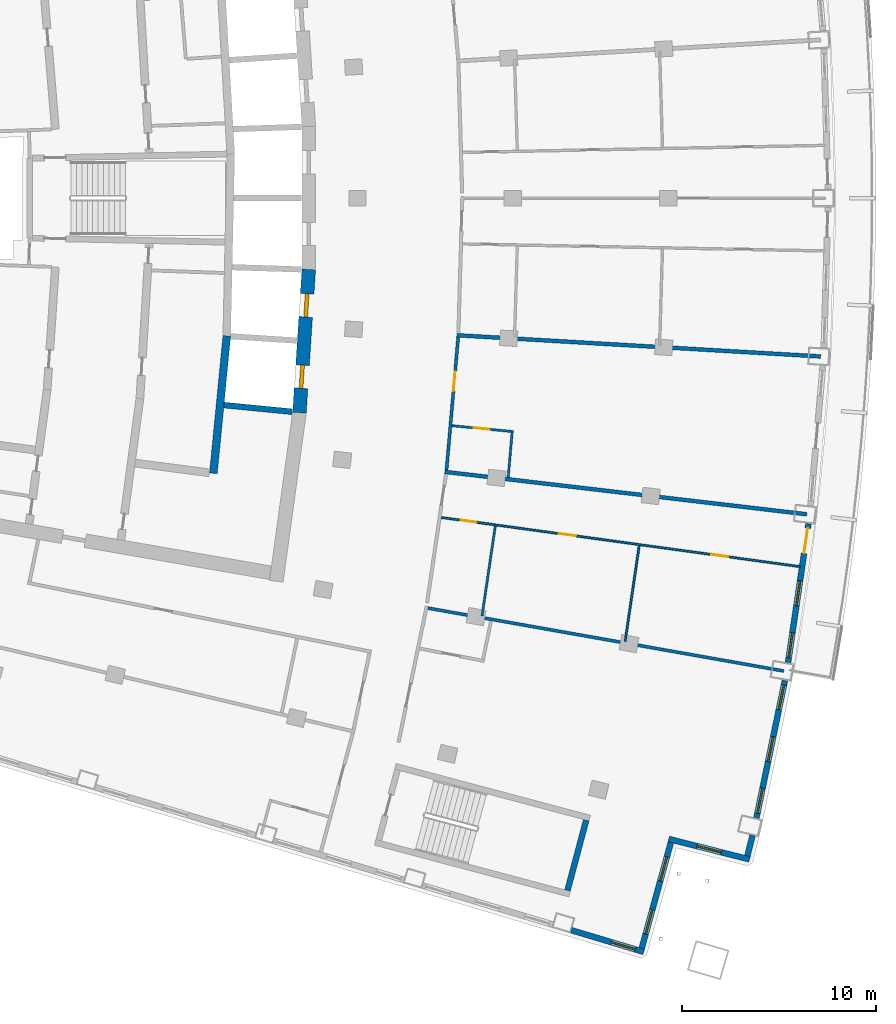
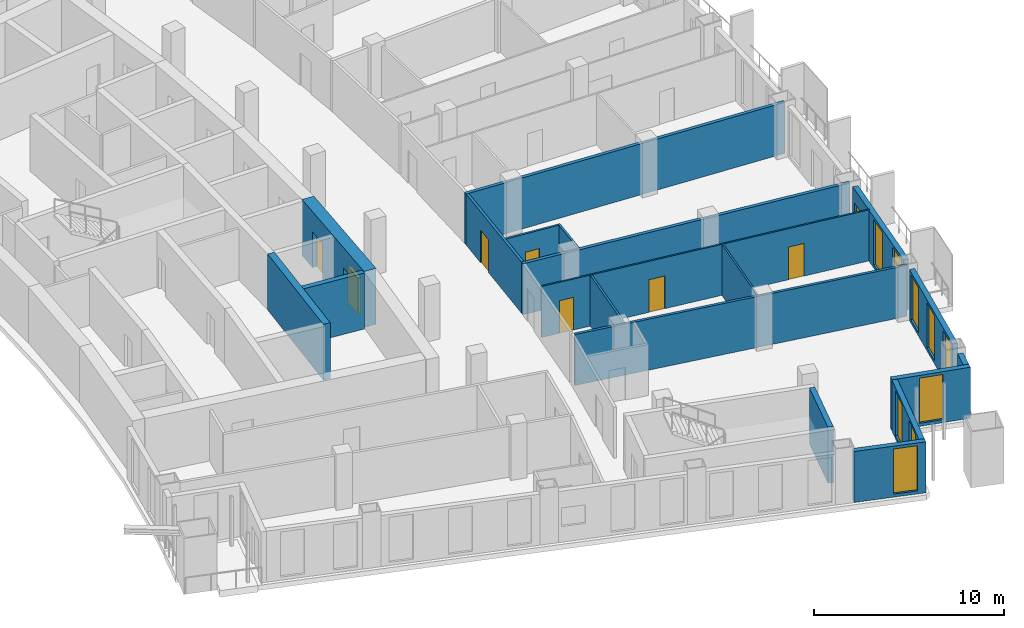
# One storey, part 11 of 20: 19 walls, 9 windows, 8 doors, 17 openings.
"""IFC4 building model written with IfcOpenShell, lengths in metres."""

from ifc_helpers import new_model, si_unit, direction, frame, frame_2d, origin, place, context, subcontext, project, spatial, rectangle, extrude, material, layer, layer_set, type_object, element, fill, save


model = new_model("IFC4")

# Units and contexts
model_context = context("Model", 3, precision=1e-05, world=origin(), true_north=direction((0.0, 1.0)))
body_context = subcontext(model_context, "Body", "Model", "MODEL_VIEW")
ifc_project = project(units=[si_unit("LENGTHUNIT", "METRE"), si_unit("AREAUNIT", "SQUARE_METRE"), si_unit("VOLUMEUNIT", "CUBIC_METRE"), si_unit("PLANEANGLEUNIT", "RADIAN"), si_unit("MASSUNIT", "GRAM", prefix="KILO")], contexts=[model_context])

# Site, building, storey
site_placement = place(None, origin())
site = spatial("IfcSite", under=ifc_project, at=site_placement, CompositionType="ELEMENT")
building_placement = place(site_placement, origin())
building = spatial("IfcBuilding", under=site, at=building_placement, Name="Alderwake Tower", CompositionType="ELEMENT")
storey_placement = place(building_placement, frame((0.0, 0.0, 153.199951171875)))
storey = spatial("IfcBuildingStorey", under=building, at=storey_placement, Name="L37", CompositionType="ELEMENT", Elevation=153.199951171875)

# Wall, openings, doors
ifc_material_1 = material(Name="Concrete C70/85", Category="concrete")
ifc_layer_1 = layer(ifc_material_1, 0.699951171875)
ifc_layer_set_1 = layer_set([ifc_layer_1], Name="Core wall outer 700 C70-85")
wall_type_1 = type_object("IfcWallType", Name="Core wall outer 700 C70-85", PredefinedType="SHEAR", material=ifc_layer_set_1)
wall_1_placement = place(storey_placement, frame((32.810302734375, 49.9482421875, 0.0), z_axis=(0.0, 0.0, 1.0), x_axis=(0.065009096017, 0.99788467141, 0.0)))
wall_1 = element("IfcWall", 1, at=wall_1_placement, inside=storey, type_object=wall_type_1, Name="Core wall CW.011", PredefinedType="SHEAR", context=body_context, shape_type="SweptSolid", body=[
    extrude(rectangle(XDim=7.39453125, YDim=0.699951171875, at=frame_2d((3.697265625, 0.0))), origin(), (0.0, 0.0, 1.0), 3.60009765625),
])
opening_1_placement = place(wall_1_placement, frame((1.255126953125, 0.0, 0.0)))
opening_1 = element("IfcOpeningElement", 2, at=opening_1_placement, cuts=wall_1, Name="Opening LD-HP1", PredefinedType="OPENING", context=body_context, shape_type="SweptSolid", body=[
    extrude(rectangle(XDim=1.199951171875, YDim=2.300048828125, at=frame_2d((0.60009765625, 1.14990234375))), frame((0.0, 0.35986328125, 0.0), z_axis=(0.0, -1.0, 0.0), x_axis=(1.0, 0.0, 0.0)), (0.0, 0.0, 1.0), 0.719970703125),
])
opening_2_placement = place(wall_1_placement, frame((4.9404296875, 0.0, 0.0)))
opening_2 = element("IfcOpeningElement", 3, at=opening_2_placement, cuts=wall_1, Name="Opening LD-HP2", PredefinedType="OPENING", context=body_context, shape_type="SweptSolid", body=[
    extrude(rectangle(XDim=1.199951171875, YDim=2.300048828125, at=frame_2d((0.60009765625, 1.14990234375))), frame((0.0, 0.35986328125, 0.0), z_axis=(0.0, -1.0, 0.0), x_axis=(1.0, 0.0, 0.0)), (0.0, 0.0, 1.0), 0.719970703125),
])
ifc_material_2 = material(Name="Stainless steel sliding leaf", Category="steel")
door_type_1 = type_object("IfcDoorType", Name="Lift landing door 1200", OperationType="SLIDING_TO_LEFT", PredefinedType="DOOR", material=ifc_material_2)
door_1_placement = place(opening_1_placement, origin())
door_1 = element("IfcDoor", 4, at=door_1_placement, inside=storey, type_object=door_type_1, Name="Lift landing door HP1", OperationType="SLIDING_TO_LEFT", OverallHeight=2.300048828125, OverallWidth=1.199951171875, PredefinedType="DOOR", context=body_context, shape_type="SweptSolid", body=[
    extrude(rectangle(XDim=1.199951171875, YDim=2.300048828125, at=frame_2d((0.60009765625, 1.14990234375))), frame((0.0, 0.10009765625, 0.0), z_axis=(0.0, -1.0, 0.0), x_axis=(1.0, 0.0, 0.0)), (0.0, 0.0, 1.0), 0.199951171875),
])
fill(opening_1, door_1)
door_2_placement = place(opening_2_placement, origin())
door_2 = element("IfcDoor", 5, at=door_2_placement, inside=storey, type_object=door_type_1, Name="Lift landing door HP2", OperationType="SLIDING_TO_LEFT", OverallHeight=2.300048828125, OverallWidth=1.199951171875, PredefinedType="DOOR", context=body_context, shape_type="SweptSolid", body=[
    extrude(rectangle(XDim=1.199951171875, YDim=2.300048828125, at=frame_2d((0.60009765625, 1.14990234375))), frame((0.0, 0.10009765625, 0.0), z_axis=(0.0, -1.0, 0.0), x_axis=(1.0, 0.0, 0.0)), (0.0, 0.0, 1.0), 0.199951171875),
])
fill(opening_2, door_2)

# Walls
ifc_material_3 = material(Name="Concrete C70/85", Category="concrete")
ifc_layer_2 = layer(ifc_material_3, 0.300048828125)
ifc_layer_set_2 = layer_set([ifc_layer_2], Name="Core wall shaft 300 C70-85")
wall_type_2 = type_object("IfcWallType", Name="Core wall shaft 300 C70-85", PredefinedType="SHEAR", material=ifc_layer_set_2)
wall_2_placement = place(storey_placement, frame((28.922119140625, 50.341796875, 0.0), z_axis=(0.0, 0.0, 1.0), x_axis=(0.995247351008, -0.097379208823, 0.0)))
element("IfcWall", 6, at=wall_2_placement, inside=storey, type_object=wall_type_2, Name="Core wall CW.064", PredefinedType="SHEAR", context=body_context, shape_type="SweptSolid", body=[
    extrude(rectangle(XDim=3.527587890625, YDim=0.300048828125, at=frame_2d((1.763671875, 0.0))), origin(), (0.0, 0.0, 1.0), 3.60009765625),
])
ifc_material_4 = material(Name="Concrete C70/85", Category="concrete")
ifc_layer_3 = layer(ifc_material_4, 0.39990234375)
ifc_layer_set_3 = layer_set([ifc_layer_3], Name="Core wall spine 400 C70-85")
wall_type_3 = type_object("IfcWallType", Name="Core wall spine 400 C70-85", PredefinedType="SHEAR", material=ifc_layer_set_3)
wall_3_placement = place(storey_placement, frame((28.376953125, 46.8251953125, 0.0), z_axis=(0.0, 0.0, 1.0), x_axis=(0.097393469943, 0.995245955537, 0.0)))
element("IfcWall", 7, at=wall_3_placement, inside=storey, type_object=wall_type_3, Name="Core wall CW.005", PredefinedType="SHEAR", context=body_context, shape_type="SweptSolid", body=[
    extrude(rectangle(XDim=7.1142578125, YDim=0.39990234375, at=frame_2d((3.55712890625, 0.0))), origin(), (0.0, 0.0, 1.0), 3.60009765625),
])
ifc_material_5 = material(Name="Concrete C70/85", Category="concrete")
ifc_layer_4 = layer(ifc_material_5, 0.300048828125)
ifc_layer_set_4 = layer_set([ifc_layer_4], Name="Core wall stair enclosure 300 C70-85")
wall_type_4 = type_object("IfcWallType", Name="Core wall stair enclosure 300 C70-85", PredefinedType="SHEAR", material=ifc_layer_set_4)
wall_4_placement = place(storey_placement, frame((46.6162109375, 25.334716796875, 0.0), z_axis=(0.0, 0.0, 1.0), x_axis=(0.257366821694, 0.966313778796, 0.0)))
element("IfcWall", 8, at=wall_4_placement, inside=storey, type_object=wall_type_4, Name="Core wall CW.085", PredefinedType="SHEAR", context=body_context, shape_type="SweptSolid", body=[
    extrude(rectangle(XDim=3.749755859375, YDim=0.300048828125, at=frame_2d((1.875, 0.0))), origin(), (0.0, 0.0, 1.0), 3.60009765625),
])

# Wall, opening, door
ifc_material_6 = material(Name="Gypsum board on metal studs, rated")
ifc_layer_5 = layer(ifc_material_6, 0.159912109375)
ifc_layer_set_5 = layer_set([ifc_layer_5], Name="Corridor wall 160")
wall_type_5 = type_object("IfcWallType", Name="Corridor wall 160", PredefinedType="PARTITIONING", material=ifc_layer_set_5)
wall_5_placement = place(storey_placement, frame((40.986328125, 53.834228515625, 0.0), z_axis=(0.0, 0.0, 1.0), x_axis=(-0.087448731147, -0.996169021512, 0.0)))
wall_5 = element("IfcWall", 9, at=wall_5_placement, inside=storey, type_object=wall_type_5, Name="WL/L37/W25", PredefinedType="PARTITIONING", context=body_context, shape_type="SweptSolid", body=[
    extrude(rectangle(XDim=6.867919921875, YDim=0.159912109375, at=frame_2d((3.43408203125, 0.0))), origin(), (0.0, 0.0, 1.0), 3.280029296875),
])
opening_3_placement = place(wall_5_placement, frame((1.78271484375, 0.0, 0.0)))
opening_3 = element("IfcOpeningElement", 10, at=opening_3_placement, cuts=wall_5, Name="Opening R10-U04.1", PredefinedType="OPENING", context=body_context, shape_type="SweptSolid", body=[
    extrude(rectangle(XDim=1.0, YDim=2.10009765625, at=frame_2d((0.5, 1.050048828125))), frame((0.0, 0.08984375, 0.0), z_axis=(0.0, -1.0, 0.0), x_axis=(1.0, 0.0, 0.0)), (0.0, 0.0, 1.0), 0.179931640625),
])
ifc_material_7 = material(Name="Solid timber leaf in steel frame", Category="steel")
door_type_2 = type_object("IfcDoorType", Name="Flat entrance door 1000 fire-rated", OperationType="SINGLE_SWING_LEFT", PredefinedType="DOOR", material=ifc_material_7)
door_3_placement = place(opening_3_placement, origin())
door_3 = element("IfcDoor", 11, at=door_3_placement, inside=storey, type_object=door_type_2, Name="DR/L37/U04.1", OperationType="SINGLE_SWING_LEFT", OverallHeight=2.10009765625, OverallWidth=1.0, PredefinedType="DOOR", context=body_context, shape_type="SweptSolid", body=[
    extrude(rectangle(XDim=1.0, YDim=2.10009765625, at=frame_2d((0.5, 1.050048828125))), frame((0.0, 0.02490234375, 0.0), z_axis=(0.0, -1.0, 0.0), x_axis=(1.0, 0.0, 0.0)), (0.0, 0.0, 1.0), 0.050048828125),
])
fill(opening_3, door_3)

# Walls
wall_6_placement = place(storey_placement, frame((57.761962890625, 36.64208984375, 0.0), z_axis=(0.0, 0.0, 1.0), x_axis=(-0.984734415002, 0.174063585826, 0.0)))
element("IfcWall", 12, at=wall_6_placement, inside=storey, type_object=wall_type_5, Name="WL/L37/W29", PredefinedType="PARTITIONING", context=body_context, shape_type="SweptSolid", body=[
    extrude(rectangle(XDim=18.619384765625, YDim=0.159912109375, at=frame_2d((9.3095703125, 0.0))), origin(), (0.0, 0.0, 1.0), 3.280029296875),
])
ifc_material_8 = material(Name="Precast concrete C50/60 spandrel panel", Category="concrete")
ifc_layer_6 = layer(ifc_material_8, 0.300048828125)
ifc_layer_set_6 = layer_set([ifc_layer_6], Name="External wall EW1 Precast concrete C50/60 spandrel")
wall_type_6 = type_object("IfcWallType", Name="External wall EW1 Precast concrete C50/60 spandrel", PredefinedType="SOLIDWALL", material=ifc_layer_set_6)
wall_7_placement = place(storey_placement, frame((55.88720703125, 27.119384765625, 0.0), z_axis=(0.0, 0.0, 1.0), x_axis=(0.238145557197, 0.971229475246, 0.0)))
element("IfcWall", 13, at=wall_7_placement, inside=storey, type_object=wall_type_6, Name="External wall 11", PredefinedType="SOLIDWALL", context=body_context, shape_type="SweptSolid", body=[
    extrude(rectangle(XDim=1.086669921875, YDim=0.300048828125, at=frame_2d((0.54345703125, 0.0))), origin(), (0.0, 0.0, 1.0), 3.280029296875),
])

# Wall, openings, windows
wall_8_placement = place(storey_placement, frame((56.3505859375, 29.080810546875, 0.0), z_axis=(0.0, 0.0, 1.0), x_axis=(0.202762098715, 0.979228028257, 0.0)))
wall_8 = element("IfcWall", 14, at=wall_8_placement, inside=storey, type_object=wall_type_6, Name="External wall 12", PredefinedType="SOLIDWALL", context=body_context, shape_type="SweptSolid", body=[
    extrude(rectangle(XDim=7.221923828125, YDim=0.300048828125, at=frame_2d((3.61083984375, 0.0))), origin(), (0.0, 0.0, 1.0), 3.280029296875),
])
opening_4_placement = place(wall_8_placement, frame((0.2431640625, 0.0, 0.199951171875)))
opening_4 = element("IfcOpeningElement", 15, at=opening_4_placement, cuts=wall_8, Name="Opening W1", PredefinedType="OPENING", context=body_context, shape_type="SweptSolid", body=[
    extrude(rectangle(XDim=1.300048828125, YDim=2.89990234375, at=frame_2d((0.64990234375, 1.449951171875))), frame((0.0, 0.159912109375, 0.0), z_axis=(0.0, -1.0, 0.0), x_axis=(1.0, 0.0, 0.0)), (0.0, 0.0, 1.0), 0.320068359375),
])
opening_5_placement = place(wall_8_placement, frame((2.961181640625, 0.0, 0.199951171875)))
opening_5 = element("IfcOpeningElement", 16, at=opening_5_placement, cuts=wall_8, Name="Opening W1", PredefinedType="OPENING", context=body_context, shape_type="SweptSolid", body=[
    extrude(rectangle(XDim=1.300048828125, YDim=2.89990234375, at=frame_2d((0.64990234375, 1.449951171875))), frame((0.0, 0.159912109375, 0.0), z_axis=(0.0, -1.0, 0.0), x_axis=(1.0, 0.0, 0.0)), (0.0, 0.0, 1.0), 0.320068359375),
])
opening_6_placement = place(wall_8_placement, frame((5.678955078125, 0.0, 0.199951171875)))
opening_6 = element("IfcOpeningElement", 17, at=opening_6_placement, cuts=wall_8, Name="Opening W1", PredefinedType="OPENING", context=body_context, shape_type="SweptSolid", body=[
    extrude(rectangle(XDim=1.300048828125, YDim=2.89990234375, at=frame_2d((0.64990234375, 1.449951171875))), frame((0.0, 0.159912109375, 0.0), z_axis=(0.0, -1.0, 0.0), x_axis=(1.0, 0.0, 0.0)), (0.0, 0.0, 1.0), 0.320068359375),
])
ifc_material_9 = material(Name="Bronze tinted glass in aluminium frame", Category="aluminium")
window_type = type_object("IfcWindowType", Name="Window W1 tall fixed and vent", PartitioningType="DOUBLE_PANEL_VERTICAL", PredefinedType="WINDOW", material=ifc_material_9)
window_1_placement = place(opening_4_placement, origin())
window_1 = element("IfcWindow", 18, at=window_1_placement, inside=storey, type_object=window_type, Name="Window W1 tall fixed and vent", OverallHeight=2.89990234375, OverallWidth=1.300048828125, PartitioningType="DOUBLE_PANEL_VERTICAL", PredefinedType="WINDOW", context=body_context, shape_type="SweptSolid", body=[
    extrude(rectangle(XDim=1.300048828125, YDim=2.89990234375, at=frame_2d((0.64990234375, 1.449951171875))), frame((0.0, 0.030029296875, 0.0), z_axis=(0.0, -1.0, 0.0), x_axis=(1.0, 0.0, 0.0)), (0.0, 0.0, 1.0), 0.06005859375),
])
fill(opening_4, window_1)
window_2_placement = place(opening_5_placement, origin())
window_2 = element("IfcWindow", 19, at=window_2_placement, inside=storey, type_object=window_type, Name="Window W1 tall fixed and vent", OverallHeight=2.89990234375, OverallWidth=1.300048828125, PartitioningType="DOUBLE_PANEL_VERTICAL", PredefinedType="WINDOW", context=body_context, shape_type="SweptSolid", body=[
    extrude(rectangle(XDim=1.300048828125, YDim=2.89990234375, at=frame_2d((0.64990234375, 1.449951171875))), frame((0.0, 0.030029296875, 0.0), z_axis=(0.0, -1.0, 0.0), x_axis=(1.0, 0.0, 0.0)), (0.0, 0.0, 1.0), 0.06005859375),
])
fill(opening_5, window_2)
window_3_placement = place(opening_6_placement, origin())
window_3 = element("IfcWindow", 20, at=window_3_placement, inside=storey, type_object=window_type, Name="Window W1 tall fixed and vent", OverallHeight=2.89990234375, OverallWidth=1.300048828125, PartitioningType="DOUBLE_PANEL_VERTICAL", PredefinedType="WINDOW", context=body_context, shape_type="SweptSolid", body=[
    extrude(rectangle(XDim=1.300048828125, YDim=2.89990234375, at=frame_2d((0.64990234375, 1.449951171875))), frame((0.0, 0.030029296875, 0.0), z_axis=(0.0, -1.0, 0.0), x_axis=(1.0, 0.0, 0.0)), (0.0, 0.0, 1.0), 0.06005859375),
])
fill(opening_6, window_3)

# Wall, openings, door, windows
wall_9_placement = place(storey_placement, frame((57.979736328125, 37.084228515625, 0.0), z_axis=(0.0, 0.0, 1.0), x_axis=(0.145324652045, 0.989384023273, 0.0)))
wall_9 = element("IfcWall", 21, at=wall_9_placement, inside=storey, type_object=wall_type_6, Name="External wall 13", PredefinedType="SOLIDWALL", context=body_context, shape_type="SweptSolid", body=[
    extrude(rectangle(XDim=7.22216796875, YDim=0.300048828125, at=frame_2d((3.611083984375, 0.0))), origin(), (0.0, 0.0, 1.0), 3.280029296875),
])
opening_7_placement = place(wall_9_placement, frame((0.2431640625, 0.0, 0.199951171875)))
opening_7 = element("IfcOpeningElement", 22, at=opening_7_placement, cuts=wall_9, Name="Opening W1", PredefinedType="OPENING", context=body_context, shape_type="SweptSolid", body=[
    extrude(rectangle(XDim=1.300048828125, YDim=2.89990234375, at=frame_2d((0.64990234375, 1.449951171875))), frame((0.0, 0.159912109375, 0.0), z_axis=(0.0, -1.0, 0.0), x_axis=(1.0, 0.0, 0.0)), (0.0, 0.0, 1.0), 0.320068359375),
])
opening_8_placement = place(wall_9_placement, frame((2.961181640625, 0.0, 0.199951171875)))
opening_8 = element("IfcOpeningElement", 23, at=opening_8_placement, cuts=wall_9, Name="Opening W1", PredefinedType="OPENING", context=body_context, shape_type="SweptSolid", body=[
    extrude(rectangle(XDim=1.300048828125, YDim=2.89990234375, at=frame_2d((0.64990234375, 1.449951171875))), frame((0.0, 0.159912109375, 0.0), z_axis=(0.0, -1.0, 0.0), x_axis=(1.0, 0.0, 0.0)), (0.0, 0.0, 1.0), 0.320068359375),
])
opening_9_placement = place(wall_9_placement, frame((5.678955078125, 0.0, 0.0)))
opening_9 = element("IfcOpeningElement", 24, at=opening_9_placement, cuts=wall_9, Name="Opening D02", PredefinedType="OPENING", context=body_context, shape_type="SweptSolid", body=[
    extrude(rectangle(XDim=1.300048828125, YDim=2.39990234375, at=frame_2d((0.64990234375, 1.199951171875))), frame((0.0, 0.159912109375, 0.0), z_axis=(0.0, -1.0, 0.0), x_axis=(1.0, 0.0, 0.0)), (0.0, 0.0, 1.0), 0.320068359375),
])
ifc_material_10 = material(Name="Bronze tinted glass in aluminium frame", Category="aluminium")
door_type_3 = type_object("IfcDoorType", Name="Balcony door BD sliding", OperationType="SLIDING_TO_LEFT", PredefinedType="DOOR", material=ifc_material_10)
door_4_placement = place(opening_9_placement, origin())
door_4 = element("IfcDoor", 25, at=door_4_placement, inside=storey, type_object=door_type_3, Name="Door D02", OperationType="SLIDING_TO_LEFT", OverallHeight=2.39990234375, OverallWidth=1.300048828125, PredefinedType="DOOR", context=body_context, shape_type="SweptSolid", body=[
    extrude(rectangle(XDim=1.300048828125, YDim=2.39990234375, at=frame_2d((0.64990234375, 1.199951171875))), frame((0.0, 0.02490234375, 0.0), z_axis=(0.0, -1.0, 0.0), x_axis=(1.0, 0.0, 0.0)), (0.0, 0.0, 1.0), 0.050048828125),
])
fill(opening_9, door_4)
window_4_placement = place(opening_7_placement, origin())
window_4 = element("IfcWindow", 26, at=window_4_placement, inside=storey, type_object=window_type, Name="Window W1 tall fixed and vent", OverallHeight=2.89990234375, OverallWidth=1.300048828125, PartitioningType="DOUBLE_PANEL_VERTICAL", PredefinedType="WINDOW", context=body_context, shape_type="SweptSolid", body=[
    extrude(rectangle(XDim=1.300048828125, YDim=2.89990234375, at=frame_2d((0.64990234375, 1.449951171875))), frame((0.0, 0.030029296875, 0.0), z_axis=(0.0, -1.0, 0.0), x_axis=(1.0, 0.0, 0.0)), (0.0, 0.0, 1.0), 0.06005859375),
])
fill(opening_7, window_4)
window_5_placement = place(opening_8_placement, origin())
window_5 = element("IfcWindow", 27, at=window_5_placement, inside=storey, type_object=window_type, Name="Window W1 tall fixed and vent", OverallHeight=2.89990234375, OverallWidth=1.300048828125, PartitioningType="DOUBLE_PANEL_VERTICAL", PredefinedType="WINDOW", context=body_context, shape_type="SweptSolid", body=[
    extrude(rectangle(XDim=1.300048828125, YDim=2.89990234375, at=frame_2d((0.64990234375, 1.449951171875))), frame((0.0, 0.030029296875, 0.0), z_axis=(0.0, -1.0, 0.0), x_axis=(1.0, 0.0, 0.0)), (0.0, 0.0, 1.0), 0.06005859375),
])
fill(opening_8, window_5)

# Wall, opening, window
ifc_material_11 = material(Name="Bronze metal cladding on lightweight framing")
ifc_layer_7 = layer(ifc_material_11, 0.300048828125)
ifc_layer_set_7 = layer_set([ifc_layer_7], Name="External wall EW2 bronze metal cladding")
wall_type_7 = type_object("IfcWallType", Name="External wall EW2 bronze metal cladding", PredefinedType="SOLIDWALL", material=ifc_layer_set_7)
wall_10_placement = place(storey_placement, frame((46.8134765625, 23.29248046875, 0.0), z_axis=(0.0, 0.0, 1.0), x_axis=(0.957765903046, -0.287549082701, 0.0)))
wall_10 = element("IfcWall", 28, at=wall_10_placement, inside=storey, type_object=wall_type_7, Name="External wall 8", PredefinedType="SOLIDWALL", context=body_context, shape_type="SweptSolid", body=[
    extrude(rectangle(XDim=3.896240234375, YDim=0.300048828125, at=frame_2d((1.9482421875, 0.0))), origin(), (0.0, 0.0, 1.0), 3.280029296875),
])
opening_10_placement = place(wall_10_placement, frame((2.146484375, 0.0, 0.199951171875)))
opening_10 = element("IfcOpeningElement", 29, at=opening_10_placement, cuts=wall_10, Name="Opening W1", PredefinedType="OPENING", context=body_context, shape_type="SweptSolid", body=[
    extrude(rectangle(XDim=1.300048828125, YDim=2.89990234375, at=frame_2d((0.64990234375, 1.449951171875))), frame((0.0, 0.159912109375, 0.0), z_axis=(0.0, -1.0, 0.0), x_axis=(1.0, 0.0, 0.0)), (0.0, 0.0, 1.0), 0.320068359375),
])
window_6_placement = place(opening_10_placement, origin())
window_6 = element("IfcWindow", 30, at=window_6_placement, inside=storey, type_object=window_type, Name="Window W1 tall fixed and vent", OverallHeight=2.89990234375, OverallWidth=1.300048828125, PartitioningType="DOUBLE_PANEL_VERTICAL", PredefinedType="WINDOW", context=body_context, shape_type="SweptSolid", body=[
    extrude(rectangle(XDim=1.300048828125, YDim=2.89990234375, at=frame_2d((0.64990234375, 1.449951171875))), frame((0.0, 0.030029296875, 0.0), z_axis=(0.0, -1.0, 0.0), x_axis=(1.0, 0.0, 0.0)), (0.0, 0.0, 1.0), 0.06005859375),
])
fill(opening_10, window_6)

# Wall, openings, windows
wall_11_placement = place(storey_placement, frame((50.441162109375, 22.35986328125, 0.0), z_axis=(0.0, 0.0, 1.0), x_axis=(0.265145438935, 0.964208429859, 0.0)))
wall_11 = element("IfcWall", 31, at=wall_11_placement, inside=storey, type_object=wall_type_7, Name="External wall 9", PredefinedType="SOLIDWALL", context=body_context, shape_type="SweptSolid", body=[
    extrude(rectangle(XDim=5.65185546875, YDim=0.300048828125, at=frame_2d((2.825927734375, 0.0))), origin(), (0.0, 0.0, 1.0), 3.280029296875),
])
opening_11_placement = place(wall_11_placement, frame((0.762939453125, 0.0, 0.199951171875)))
opening_11 = element("IfcOpeningElement", 32, at=opening_11_placement, cuts=wall_11, Name="Opening W1", PredefinedType="OPENING", context=body_context, shape_type="SweptSolid", body=[
    extrude(rectangle(XDim=1.300048828125, YDim=2.89990234375, at=frame_2d((0.64990234375, 1.449951171875))), frame((0.0, 0.159912109375, 0.0), z_axis=(0.0, -1.0, 0.0), x_axis=(1.0, 0.0, 0.0)), (0.0, 0.0, 1.0), 0.320068359375),
])
opening_12_placement = place(wall_11_placement, frame((3.5888671875, 0.0, 0.199951171875)))
opening_12 = element("IfcOpeningElement", 33, at=opening_12_placement, cuts=wall_11, Name="Opening W1", PredefinedType="OPENING", context=body_context, shape_type="SweptSolid", body=[
    extrude(rectangle(XDim=1.300048828125, YDim=2.89990234375, at=frame_2d((0.64990234375, 1.449951171875))), frame((0.0, 0.159912109375, 0.0), z_axis=(0.0, -1.0, 0.0), x_axis=(1.0, 0.0, 0.0)), (0.0, 0.0, 1.0), 0.320068359375),
])
window_7_placement = place(opening_11_placement, origin())
window_7 = element("IfcWindow", 34, at=window_7_placement, inside=storey, type_object=window_type, Name="Window W1 tall fixed and vent", OverallHeight=2.89990234375, OverallWidth=1.300048828125, PartitioningType="DOUBLE_PANEL_VERTICAL", PredefinedType="WINDOW", context=body_context, shape_type="SweptSolid", body=[
    extrude(rectangle(XDim=1.300048828125, YDim=2.89990234375, at=frame_2d((0.64990234375, 1.449951171875))), frame((0.0, 0.030029296875, 0.0), z_axis=(0.0, -1.0, 0.0), x_axis=(1.0, 0.0, 0.0)), (0.0, 0.0, 1.0), 0.06005859375),
])
fill(opening_11, window_7)
window_8_placement = place(opening_12_placement, origin())
window_8 = element("IfcWindow", 35, at=window_8_placement, inside=storey, type_object=window_type, Name="Window W1 tall fixed and vent", OverallHeight=2.89990234375, OverallWidth=1.300048828125, PartitioningType="DOUBLE_PANEL_VERTICAL", PredefinedType="WINDOW", context=body_context, shape_type="SweptSolid", body=[
    extrude(rectangle(XDim=1.300048828125, YDim=2.89990234375, at=frame_2d((0.64990234375, 1.449951171875))), frame((0.0, 0.030029296875, 0.0), z_axis=(0.0, -1.0, 0.0), x_axis=(1.0, 0.0, 0.0)), (0.0, 0.0, 1.0), 0.06005859375),
])
fill(opening_12, window_8)

# Wall, opening, window
wall_12_placement = place(storey_placement, frame((51.833984375, 27.99072265625, 0.0), z_axis=(0.0, 0.0, 1.0), x_axis=(0.969425962264, -0.245383992325, 0.0)))
wall_12 = element("IfcWall", 36, at=wall_12_placement, inside=storey, type_object=wall_type_7, Name="External wall 10", PredefinedType="SOLIDWALL", context=body_context, shape_type="SweptSolid", body=[
    extrude(rectangle(XDim=4.294189453125, YDim=0.300048828125, at=frame_2d((2.14697265625, 0.0))), origin(), (0.0, 0.0, 1.0), 3.280029296875),
])
opening_13_placement = place(wall_12_placement, frame((1.4970703125, 0.0, 0.199951171875)))
opening_13 = element("IfcOpeningElement", 37, at=opening_13_placement, cuts=wall_12, Name="Opening W1", PredefinedType="OPENING", context=body_context, shape_type="SweptSolid", body=[
    extrude(rectangle(XDim=1.300048828125, YDim=2.89990234375, at=frame_2d((0.64990234375, 1.449951171875))), frame((0.0, 0.159912109375, 0.0), z_axis=(0.0, -1.0, 0.0), x_axis=(1.0, 0.0, 0.0)), (0.0, 0.0, 1.0), 0.320068359375),
])
window_9_placement = place(opening_13_placement, origin())
window_9 = element("IfcWindow", 38, at=window_9_placement, inside=storey, type_object=window_type, Name="Window W1 tall fixed and vent", OverallHeight=2.89990234375, OverallWidth=1.300048828125, PartitioningType="DOUBLE_PANEL_VERTICAL", PredefinedType="WINDOW", context=body_context, shape_type="SweptSolid", body=[
    extrude(rectangle(XDim=1.300048828125, YDim=2.89990234375, at=frame_2d((0.64990234375, 1.449951171875))), frame((0.0, 0.030029296875, 0.0), z_axis=(0.0, -1.0, 0.0), x_axis=(1.0, 0.0, 0.0)), (0.0, 0.0, 1.0), 0.06005859375),
])
fill(opening_13, window_9)

# Walls
ifc_material_12 = material(Name="Dense block masonry wall", Category="masonry")
ifc_layer_8 = layer(ifc_material_12, 0.199951171875)
ifc_layer_set_8 = layer_set([ifc_layer_8], Name="Party wall 200")
wall_type_8 = type_object("IfcWallType", Name="Party wall 200", PredefinedType="SOLIDWALL", material=ifc_layer_set_8)
wall_13_placement = place(storey_placement, frame((58.949951171875, 44.715087890625, 0.0), z_axis=(0.0, 0.0, 1.0), x_axis=(-0.993194635726, 0.116466370962, 0.0)))
element("IfcWall", 39, at=wall_13_placement, inside=storey, type_object=wall_type_8, Name="WL/L37/W03", PredefinedType="SOLIDWALL", context=body_context, shape_type="SweptSolid", body=[
    extrude(rectangle(XDim=18.780029296875, YDim=0.199951171875, at=frame_2d((9.39013671875, 0.0))), origin(), (0.0, 0.0, 1.0), 3.280029296875),
])
wall_14_placement = place(storey_placement, frame((59.660888671875, 52.844970703125, 0.0), z_axis=(0.0, 0.0, 1.0), x_axis=(-0.998302191282, 0.058247187749, 0.0)))
element("IfcWall", 40, at=wall_14_placement, inside=storey, type_object=wall_type_8, Name="WL/L37/W05", PredefinedType="SOLIDWALL", context=body_context, shape_type="SweptSolid", body=[
    extrude(rectangle(XDim=18.77783203125, YDim=0.199951171875, at=frame_2d((9.388916015625, 0.0))), origin(), (0.0, 0.0, 1.0), 3.280029296875),
])

# Wall, openings, doors
ifc_material_13 = material(Name="Gypsum board on metal studs")
ifc_layer_9 = layer(ifc_material_13, 0.10009765625)
ifc_layer_set_9 = layer_set([ifc_layer_9], Name="Unit partition 100")
wall_type_9 = type_object("IfcWallType", Name="Unit partition 100", PredefinedType="PARTITIONING", material=ifc_layer_set_9)
wall_15_placement = place(storey_placement, frame((58.60205078125, 42.01806640625, 0.0), z_axis=(0.0, 0.0, 1.0), x_axis=(-0.99074462385, 0.135739052273, 0.0)))
wall_15 = element("IfcWall", 41, at=wall_15_placement, inside=storey, type_object=wall_type_9, Name="WL/L37/W45", PredefinedType="PARTITIONING", context=body_context, shape_type="SweptSolid", body=[
    extrude(rectangle(XDim=18.660400390625, YDim=0.10009765625, at=frame_2d((9.330078125, 0.0))), origin(), (0.0, 0.0, 1.0), 3.280029296875),
])
opening_14_placement = place(wall_15_placement, frame((11.651611328125, 0.0, 0.0)))
opening_14 = element("IfcOpeningElement", 42, at=opening_14_placement, cuts=wall_15, Name="Opening R10-U03.1", PredefinedType="OPENING", context=body_context, shape_type="SweptSolid", body=[
    extrude(rectangle(XDim=0.89990234375, YDim=2.10009765625, at=frame_2d((0.449951171875, 1.050048828125))), frame((0.0, 0.06005859375, 0.0), z_axis=(0.0, -1.0, 0.0), x_axis=(1.0, 0.0, 0.0)), (0.0, 0.0, 1.0), 0.1201171875),
])
opening_15_placement = place(wall_15_placement, frame((16.8515625, 0.0, 0.0)))
opening_15 = element("IfcOpeningElement", 43, at=opening_15_placement, cuts=wall_15, Name="Opening R10-U03.3", PredefinedType="OPENING", context=body_context, shape_type="SweptSolid", body=[
    extrude(rectangle(XDim=0.800048828125, YDim=2.10009765625, at=frame_2d((0.39990234375, 1.050048828125))), frame((0.0, 0.06005859375, 0.0), z_axis=(0.0, -1.0, 0.0), x_axis=(1.0, 0.0, 0.0)), (0.0, 0.0, 1.0), 0.1201171875),
])
opening_16_placement = place(wall_15_placement, frame((3.73046875, 0.0, 0.0)))
opening_16 = element("IfcOpeningElement", 44, at=opening_16_placement, cuts=wall_15, Name="Opening R10-U03.4", PredefinedType="OPENING", context=body_context, shape_type="SweptSolid", body=[
    extrude(rectangle(XDim=0.89990234375, YDim=2.10009765625, at=frame_2d((0.449951171875, 1.050048828125))), frame((0.0, 0.06005859375, 0.0), z_axis=(0.0, -1.0, 0.0), x_axis=(1.0, 0.0, 0.0)), (0.0, 0.0, 1.0), 0.1201171875),
])
ifc_material_14 = material(Name="Painted timber leaf", Category="wood")
door_type_4 = type_object("IfcDoorType", Name="Bathroom door 800", OperationType="SINGLE_SWING_LEFT", PredefinedType="DOOR", material=ifc_material_14)
door_5_placement = place(opening_15_placement, origin())
door_5 = element("IfcDoor", 45, at=door_5_placement, inside=storey, type_object=door_type_4, Name="DR/L37/U03.3", OperationType="SINGLE_SWING_LEFT", OverallHeight=2.10009765625, OverallWidth=0.800048828125, PredefinedType="DOOR", context=body_context, shape_type="SweptSolid", body=[
    extrude(rectangle(XDim=0.800048828125, YDim=2.10009765625, at=frame_2d((0.39990234375, 1.050048828125))), frame((0.0, 0.02490234375, 0.0), z_axis=(0.0, -1.0, 0.0), x_axis=(1.0, 0.0, 0.0)), (0.0, 0.0, 1.0), 0.050048828125),
])
fill(opening_15, door_5)
ifc_material_15 = material(Name="Painted timber leaf", Category="wood")
door_type_5 = type_object("IfcDoorType", Name="Room door 900", OperationType="SINGLE_SWING_LEFT", PredefinedType="DOOR", material=ifc_material_15)
door_6_placement = place(opening_14_placement, origin())
door_6 = element("IfcDoor", 46, at=door_6_placement, inside=storey, type_object=door_type_5, Name="DR/L37/U03.1", OperationType="SINGLE_SWING_LEFT", OverallHeight=2.10009765625, OverallWidth=0.89990234375, PredefinedType="DOOR", context=body_context, shape_type="SweptSolid", body=[
    extrude(rectangle(XDim=0.89990234375, YDim=2.10009765625, at=frame_2d((0.449951171875, 1.050048828125))), frame((0.0, 0.02490234375, 0.0), z_axis=(0.0, -1.0, 0.0), x_axis=(1.0, 0.0, 0.0)), (0.0, 0.0, 1.0), 0.050048828125),
])
fill(opening_14, door_6)
door_7_placement = place(opening_16_placement, origin())
door_7 = element("IfcDoor", 47, at=door_7_placement, inside=storey, type_object=door_type_5, Name="DR/L37/U03.4", OperationType="SINGLE_SWING_LEFT", OverallHeight=2.10009765625, OverallWidth=0.89990234375, PredefinedType="DOOR", context=body_context, shape_type="SweptSolid", body=[
    extrude(rectangle(XDim=0.89990234375, YDim=2.10009765625, at=frame_2d((0.449951171875, 1.050048828125))), frame((0.0, 0.02490234375, 0.0), z_axis=(0.0, -1.0, 0.0), x_axis=(1.0, 0.0, 0.0)), (0.0, 0.0, 1.0), 0.050048828125),
])
fill(opening_16, door_7)

# Walls
wall_16_placement = place(storey_placement, frame((49.586669921875, 38.170166015625, 0.0), z_axis=(0.0, 0.0, 1.0), x_axis=(0.145444645859, 0.989366390672, 0.0)))
element("IfcWall", 48, at=wall_16_placement, inside=storey, type_object=wall_type_9, Name="WL/L37/W49", PredefinedType="PARTITIONING", context=body_context, shape_type="SweptSolid", body=[
    extrude(rectangle(XDim=4.9853515625, YDim=0.10009765625, at=frame_2d((2.49267578125, 0.0))), origin(), (0.0, 0.0, 1.0), 3.280029296875),
])
ifc_material_16 = material(Name="Moisture resistant gypsum board on metal studs")
ifc_layer_10 = layer(ifc_material_16, 0.1201171875)
ifc_layer_set_10 = layer_set([ifc_layer_10], Name="Wet room partition 120")
wall_type_10 = type_object("IfcWallType", Name="Wet room partition 120", PredefinedType="PARTITIONING", material=ifc_layer_set_10)
wall_17_placement = place(storey_placement, frame((42.215576171875, 39.47216796875, 0.0), z_axis=(0.0, 0.0, 1.0), x_axis=(0.145519444166, 0.989355391843, 0.0)))
element("IfcWall", 49, at=wall_17_placement, inside=storey, type_object=wall_type_10, Name="WL/L37/W36", PredefinedType="PARTITIONING", context=body_context, shape_type="SweptSolid", body=[
    extrude(rectangle(XDim=4.6943359375, YDim=0.1201171875, at=frame_2d((2.34716796875, 0.0))), origin(), (0.0, 0.0, 1.0), 3.280029296875),
])
wall_18_placement = place(storey_placement, frame((43.562744140625, 46.62060546875, 0.0), z_axis=(0.0, 0.0, 1.0), x_axis=(0.087632476873, 0.99615287431, 0.0)))
element("IfcWall", 50, at=wall_18_placement, inside=storey, type_object=wall_type_10, Name="WL/L37/W38", PredefinedType="PARTITIONING", context=body_context, shape_type="SweptSolid", body=[
    extrude(rectangle(XDim=2.426513671875, YDim=0.1201171875, at=frame_2d((1.21337890625, 0.0))), origin(), (0.0, 0.0, 1.0), 3.280029296875),
])

# Wall, opening, door
wall_19_placement = place(storey_placement, frame((43.710205078125, 48.98388671875, 0.0), z_axis=(0.0, 0.0, 1.0), x_axis=(-0.995323060709, 0.096602302355, 0.0)))
wall_19 = element("IfcWall", 51, at=wall_19_placement, inside=storey, type_object=wall_type_10, Name="WL/L37/W39", PredefinedType="PARTITIONING", context=body_context, shape_type="SweptSolid", body=[
    extrude(rectangle(XDim=3.05810546875, YDim=0.1201171875, at=frame_2d((1.529052734375, 0.0))), origin(), (0.0, 0.0, 1.0), 3.280029296875),
])
opening_17_placement = place(wall_19_placement, frame((1.12890625, 0.0, 0.0)))
opening_17 = element("IfcOpeningElement", 52, at=opening_17_placement, cuts=wall_19, Name="Opening R10-U04.2", PredefinedType="OPENING", context=body_context, shape_type="SweptSolid", body=[
    extrude(rectangle(XDim=0.800048828125, YDim=2.10009765625, at=frame_2d((0.39990234375, 1.050048828125))), frame((0.0, 0.070068359375, 0.0), z_axis=(0.0, -1.0, 0.0), x_axis=(1.0, 0.0, 0.0)), (0.0, 0.0, 1.0), 0.14013671875),
])
door_8_placement = place(opening_17_placement, origin())
door_8 = element("IfcDoor", 53, at=door_8_placement, inside=storey, type_object=door_type_4, Name="DR/L37/U04.2", OperationType="SINGLE_SWING_LEFT", OverallHeight=2.10009765625, OverallWidth=0.800048828125, PredefinedType="DOOR", context=body_context, shape_type="SweptSolid", body=[
    extrude(rectangle(XDim=0.800048828125, YDim=2.10009765625, at=frame_2d((0.39990234375, 1.050048828125))), frame((0.0, 0.02490234375, 0.0), z_axis=(0.0, -1.0, 0.0), x_axis=(1.0, 0.0, 0.0)), (0.0, 0.0, 1.0), 0.050048828125),
])
fill(opening_17, door_8)

save(model, "model.ifc")
